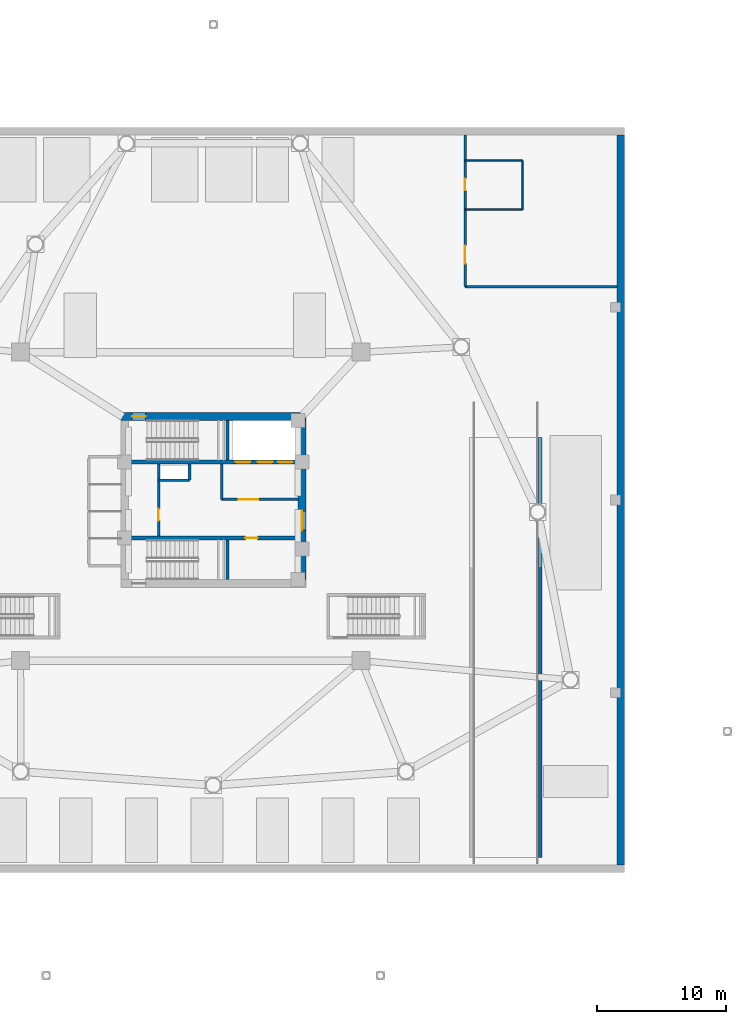
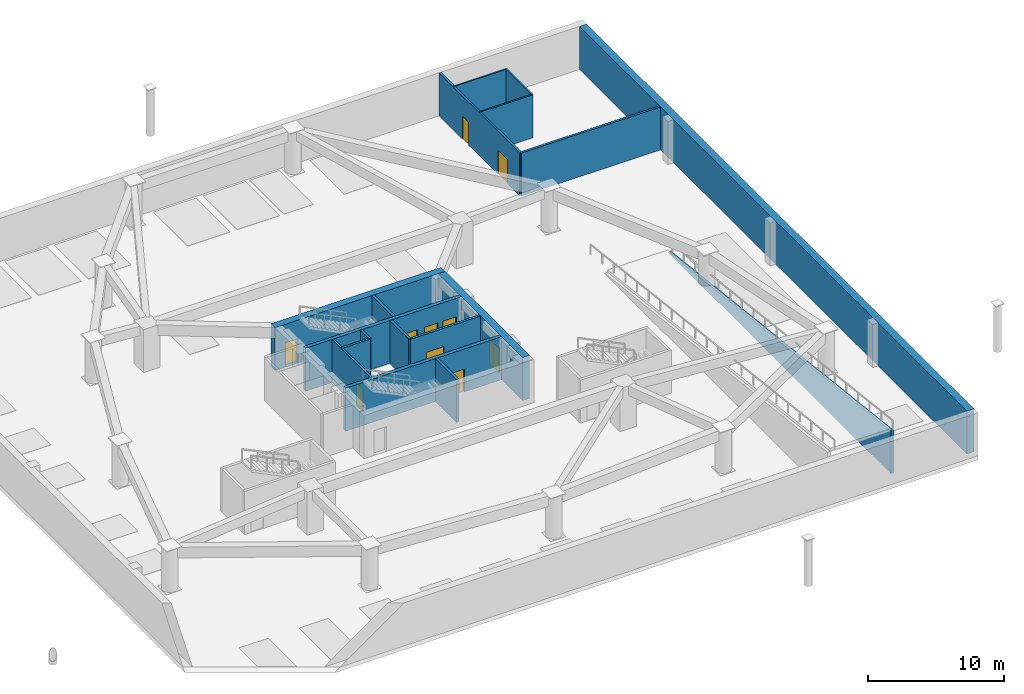
# One storey, part 5 of 9: 18 walls, 10 doors, 10 openings.
"""IFC4 building model written with IfcOpenShell, lengths in metres."""

from ifc_helpers import new_model, si_unit, direction, frame, frame_2d, origin, place, context, subcontext, project, spatial, polyline, rectangle, outline, extrude, material, layer, layer_set, type_object, element, fill, save


model = new_model("IFC4")

# Units and contexts
model_context = context("Model", 3, precision=1e-05, world=origin(), true_north=direction((0.0, 1.0)))
body_context = subcontext(model_context, "Body", "Model", "MODEL_VIEW")
ifc_project = project(units=[si_unit("LENGTHUNIT", "METRE"), si_unit("AREAUNIT", "SQUARE_METRE"), si_unit("VOLUMEUNIT", "CUBIC_METRE"), si_unit("PLANEANGLEUNIT", "RADIAN"), si_unit("MASSUNIT", "GRAM", prefix="KILO")], contexts=[model_context])

# Site, building, storey
site_placement = place(None, origin())
site = spatial("IfcSite", under=ifc_project, at=site_placement, CompositionType="ELEMENT")
building_placement = place(site_placement, origin())
building = spatial("IfcBuilding", under=site, at=building_placement, Name="Tavelor Broadcast Tower", CompositionType="ELEMENT")
storey_placement = place(building_placement, frame((0.0, 0.0, -4.199951171875)))
storey = spatial("IfcBuildingStorey", under=building, at=storey_placement, Name="B01", CompositionType="ELEMENT", Elevation=-4.199951171875)

# Wall
ifc_material_1 = material(Name="Concrete C40/50", Category="concrete")
ifc_layer_1 = layer(ifc_material_1, 0.60009765625)
ifc_layer_set_1 = layer_set([ifc_layer_1], Name="Concrete C40/50")
wall_type_1 = type_object("IfcWallType", Name="Basement Retaining Wall 600 mm", PredefinedType="USERDEFINED", material=ifc_layer_set_1)
wall_1_placement = place(storey_placement, frame((81.699951171875, 16.60009765625, 0.0), z_axis=(0.0, 0.0, 1.0), x_axis=(0.0, 1.0, 0.0)))
element("IfcWall", 1, at=wall_1_placement, inside=storey, type_object=wall_type_1, Name="B01 Basement Retaining Wall E 600 mm", ObjectType="RETAINING WALL", PredefinedType="USERDEFINED", context=body_context, shape_type="SweptSolid", body=[
    extrude(rectangle(XDim=56.7998046875, YDim=0.60009765625, at=frame_2d((28.39990234375, 0.0))), origin(), (0.0, 0.0, 1.0), 3.849853515625),
])

# Wall, opening, door
ifc_material_2 = material(Name="Concrete C60/75", Category="concrete")
ifc_layer_2 = layer(ifc_material_2, 0.60009765625)
ifc_layer_set_2 = layer_set([ifc_layer_2], Name="Concrete C60/75")
wall_type_2 = type_object("IfcWallType", Name="Core Shear Wall 600 mm", PredefinedType="SHEAR", material=ifc_layer_set_2)
wall_2_placement = place(storey_placement, frame((42.800048828125, 51.5, 0.0), z_axis=(0.0, 0.0, 1.0), x_axis=(1.0, 0.0, 0.0)))
wall_2 = element("IfcWall", 2, at=wall_2_placement, inside=storey, type_object=wall_type_2, Name="B01 Central Core Shear Wall N", PredefinedType="SHEAR", context=body_context, shape_type="SweptSolid", body=[
    extrude(rectangle(XDim=14.39990234375, YDim=0.60009765625, at=frame_2d((7.199951171875, 0.0))), origin(), (0.0, 0.0, 1.0), 3.849853515625),
])
opening_1_placement = place(wall_2_placement, frame((0.8798828125, 0.0, 0.0)))
opening_1 = element("IfcOpeningElement", 3, at=opening_1_placement, cuts=wall_2, Name="Opening DR11", PredefinedType="OPENING", context=body_context, shape_type="SweptSolid", body=[
    extrude(rectangle(XDim=1.050048828125, YDim=2.199951171875, at=frame_2d((0.52490234375, 1.10009765625))), frame((0.0, 0.31005859375, 0.0), z_axis=(0.0, -1.0, 0.0), x_axis=(1.0, 0.0, 0.0)), (0.0, 0.0, 1.0), 0.6201171875),
])
ifc_material_3 = material(Name="Steel S355", Category="steel")
door_type_1 = type_object("IfcDoorType", Name="Stair Core Fire Escape Door 1050x2200", OperationType="NOTDEFINED", PredefinedType="DOOR", material=ifc_material_3)
door_1_placement = place(opening_1_placement, origin())
door_1 = element("IfcDoor", 4, at=door_1_placement, inside=storey, type_object=door_type_1, Name="B01 Stair ST1 Protected Exit Door", OperationType="SINGLE_SWING_LEFT", OverallHeight=2.199951171875, OverallWidth=1.050048828125, PredefinedType="DOOR", context=body_context, shape_type="SweptSolid", body=[
    extrude(rectangle(XDim=1.050048828125, YDim=2.199951171875, at=frame_2d((0.52490234375, 1.10009765625))), frame((0.0, 0.02490234375, 0.0), z_axis=(0.0, -1.0, 0.0), x_axis=(1.0, 0.0, 0.0)), (0.0, 0.0, 1.0), 0.050048828125),
])
fill(opening_1, door_1)

wall_3_placement = place(storey_placement, frame((56.89990234375, 38.800048828125, 0.0), z_axis=(0.0, 0.0, 1.0), x_axis=(0.0, 1.0, 0.0)))
wall_3 = element("IfcWall", 5, at=wall_3_placement, inside=storey, type_object=wall_type_2, Name="B01 Central Core Shear Wall E", PredefinedType="SHEAR", context=body_context, shape_type="SweptSolid", body=[
    extrude(rectangle(XDim=12.39990234375, YDim=0.60009765625, at=frame_2d((6.199951171875, 0.0))), origin(), (0.0, 0.0, 1.0), 3.849853515625),
])
opening_2_placement = place(wall_3_placement, frame((3.85009765625, 0.0, 0.0)))
opening_2 = element("IfcOpeningElement", 6, at=opening_2_placement, cuts=wall_3, Name="Opening DR14", PredefinedType="OPENING", context=body_context, shape_type="SweptSolid", body=[
    extrude(rectangle(XDim=1.5, YDim=2.199951171875, at=frame_2d((0.75, 1.10009765625))), frame((0.0, 0.31005859375, 0.0), z_axis=(0.0, -1.0, 0.0), x_axis=(1.0, 0.0, 0.0)), (0.0, 0.0, 1.0), 0.6201171875),
])
door_type_2 = type_object("IfcDoorType", Name="Firefighting Lobby Double Fire Door 1500x2200", OperationType="NOTDEFINED", PredefinedType="DOOR", material=ifc_material_3)
door_2_placement = place(opening_2_placement, origin())
door_2 = element("IfcDoor", 7, at=door_2_placement, inside=storey, type_object=door_type_2, Name="B01 Central Core Lobby Fire Door", OperationType="SINGLE_SWING_RIGHT", OverallHeight=2.199951171875, OverallWidth=1.5, PredefinedType="DOOR", context=body_context, shape_type="SweptSolid", body=[
    extrude(rectangle(XDim=1.5, YDim=2.199951171875, at=frame_2d((0.75, 1.10009765625))), frame((0.0, 0.02490234375, 0.0), z_axis=(0.0, -1.0, 0.0), x_axis=(1.0, 0.0, 0.0)), (0.0, 0.0, 1.0), 0.050048828125),
])
fill(opening_2, door_2)

# Wall, openings, doors
ifc_layer_3 = layer(ifc_material_2, 0.300048828125)
ifc_layer_set_3 = layer_set([ifc_layer_3], Name="Concrete C60/75")
wall_type_3 = type_object("IfcWallType", Name="Core Spine Shear Wall 300 mm C60", PredefinedType="SHEAR", material=ifc_layer_set_3)
wall_4_placement = place(storey_placement, frame((43.39990234375, 47.949951171875, 0.0), z_axis=(0.0, 0.0, 1.0), x_axis=(1.0, 0.0, 0.0)))
wall_4 = element("IfcWall", 8, at=wall_4_placement, inside=storey, type_object=wall_type_3, Name="B01 Central Core Shear Wall SP1", PredefinedType="SHEAR", context=body_context, shape_type="SweptSolid", body=[
    extrude(rectangle(XDim=13.2001953125, YDim=0.300048828125, at=frame_2d((6.60009765625, 0.0))), origin(), (0.0, 0.0, 1.0), 3.849853515625),
])
opening_3_placement = place(wall_4_placement, frame((8.344970703125, 0.0, 0.0)))
opening_3 = element("IfcOpeningElement", 9, at=opening_3_placement, cuts=wall_4, Name="Opening LD02", PredefinedType="OPENING", context=body_context, shape_type="SweptSolid", body=[
    extrude(rectangle(XDim=1.14990234375, YDim=2.199951171875, at=frame_2d((0.574951171875, 1.10009765625))), frame((0.0, 0.16015625, 0.0), z_axis=(0.0, -1.0, 0.0), x_axis=(1.0, 0.0, 0.0)), (0.0, 0.0, 1.0), 0.320068359375),
])
opening_4_placement = place(wall_4_placement, frame((10.06494140625, 0.0, 0.0)))
opening_4 = element("IfcOpeningElement", 10, at=opening_4_placement, cuts=wall_4, Name="Opening LD02", PredefinedType="OPENING", context=body_context, shape_type="SweptSolid", body=[
    extrude(rectangle(XDim=1.14990234375, YDim=2.199951171875, at=frame_2d((0.574951171875, 1.10009765625))), frame((0.0, 0.16015625, 0.0), z_axis=(0.0, -1.0, 0.0), x_axis=(1.0, 0.0, 0.0)), (0.0, 0.0, 1.0), 0.320068359375),
])
opening_5_placement = place(wall_4_placement, frame((11.64501953125, 0.0, 0.0)))
opening_5 = element("IfcOpeningElement", 11, at=opening_5_placement, cuts=wall_4, Name="Opening LD03", PredefinedType="OPENING", context=body_context, shape_type="SweptSolid", body=[
    extrude(rectangle(XDim=1.14990234375, YDim=2.199951171875, at=frame_2d((0.574951171875, 1.10009765625))), frame((0.0, 0.16015625, 0.0), z_axis=(0.0, -1.0, 0.0), x_axis=(1.0, 0.0, 0.0)), (0.0, 0.0, 1.0), 0.320068359375),
])
ifc_material_4 = material(Name="Reinforced Brushed Stainless Steel", Category="concrete")
door_type_3 = type_object("IfcDoorType", Name="Broadcast Goods Lift Sliding Landing Door 1250x2200", OperationType="NOTDEFINED", PredefinedType="DOOR", material=ifc_material_4)
door_3_placement = place(opening_5_placement, origin())
door_3 = element("IfcDoor", 12, at=door_3_placement, inside=storey, type_object=door_type_3, Name="B01 Lift SVL1 Sliding Landing Door", OperationType="SLIDING_TO_LEFT", OverallHeight=2.199951171875, OverallWidth=1.14990234375, PredefinedType="DOOR", context=body_context, shape_type="SweptSolid", body=[
    extrude(rectangle(XDim=1.14990234375, YDim=2.199951171875, at=frame_2d((0.574951171875, 1.10009765625))), frame((0.0, 0.02490234375, 0.0), z_axis=(0.0, -1.0, 0.0), x_axis=(1.0, 0.0, 0.0)), (0.0, 0.0, 1.0), 0.050048828125),
])
fill(opening_5, door_3)
ifc_material_5 = material(Name="Fire-Rated Stainless Steel", Category="steel")
door_type_4 = type_object("IfcDoorType", Name="Firefighting Lift Sliding Landing Door 1200x2200", OperationType="NOTDEFINED", PredefinedType="DOOR", material=ifc_material_5)
door_4_placement = place(opening_3_placement, origin())
door_4 = element("IfcDoor", 13, at=door_4_placement, inside=storey, type_object=door_type_4, Name="B01 Lift FFL1 Sliding Landing Door", OperationType="SLIDING_TO_LEFT", OverallHeight=2.199951171875, OverallWidth=1.14990234375, PredefinedType="DOOR", context=body_context, shape_type="SweptSolid", body=[
    extrude(rectangle(XDim=1.14990234375, YDim=2.199951171875, at=frame_2d((0.574951171875, 1.10009765625))), frame((0.0, 0.02490234375, 0.0), z_axis=(0.0, -1.0, 0.0), x_axis=(1.0, 0.0, 0.0)), (0.0, 0.0, 1.0), 0.050048828125),
])
fill(opening_3, door_4)
door_5_placement = place(opening_4_placement, origin())
door_5 = element("IfcDoor", 14, at=door_5_placement, inside=storey, type_object=door_type_4, Name="B01 Lift FFL2 Sliding Landing Door", OperationType="SLIDING_TO_LEFT", OverallHeight=2.199951171875, OverallWidth=1.14990234375, PredefinedType="DOOR", context=body_context, shape_type="SweptSolid", body=[
    extrude(rectangle(XDim=1.14990234375, YDim=2.199951171875, at=frame_2d((0.574951171875, 1.10009765625))), frame((0.0, 0.02490234375, 0.0), z_axis=(0.0, -1.0, 0.0), x_axis=(1.0, 0.0, 0.0)), (0.0, 0.0, 1.0), 0.050048828125),
])
fill(opening_4, door_5)

# Wall, opening, door
wall_5_placement = place(storey_placement, frame((43.39990234375, 42.050048828125, 0.0), z_axis=(0.0, 0.0, 1.0), x_axis=(1.0, 0.0, 0.0)))
wall_5 = element("IfcWall", 15, at=wall_5_placement, inside=storey, type_object=wall_type_3, Name="B01 Central Core Shear Wall SP2", PredefinedType="SHEAR", context=body_context, shape_type="SweptSolid", body=[
    extrude(rectangle(XDim=13.2001953125, YDim=0.300048828125, at=frame_2d((6.60009765625, 0.0))), origin(), (0.0, 0.0, 1.0), 3.849853515625),
])
opening_6_placement = place(wall_5_placement, frame((9.10009765625, 0.0, 0.0)))
opening_6 = element("IfcOpeningElement", 16, at=opening_6_placement, cuts=wall_5, Name="Opening DR18", PredefinedType="OPENING", context=body_context, shape_type="SweptSolid", body=[
    extrude(rectangle(XDim=0.949951171875, YDim=2.050048828125, at=frame_2d((0.47509765625, 1.02490234375))), frame((0.0, 0.16015625, 0.0), z_axis=(0.0, -1.0, 0.0), x_axis=(1.0, 0.0, 0.0)), (0.0, 0.0, 1.0), 0.320068359375),
])
ifc_material_6 = material(Name="Timber Solid Core Hardwood", Category="wood")
door_type_5 = type_object("IfcDoorType", Name="Corridor Rated Compartment Door 950x2050", OperationType="NOTDEFINED", PredefinedType="DOOR", material=ifc_material_6)
door_6_placement = place(opening_6_placement, origin())
door_6 = element("IfcDoor", 17, at=door_6_placement, inside=storey, type_object=door_type_5, Name="B01 Reclaimed South Core Plant Door", OperationType="SINGLE_SWING_RIGHT", OverallHeight=2.050048828125, OverallWidth=0.949951171875, PredefinedType="DOOR", context=body_context, shape_type="SweptSolid", body=[
    extrude(rectangle(XDim=0.949951171875, YDim=2.050048828125, at=frame_2d((0.47509765625, 1.02490234375))), frame((0.0, 0.02490234375, 0.0), z_axis=(0.0, -1.0, 0.0), x_axis=(1.0, 0.0, 0.0)), (0.0, 0.0, 1.0), 0.050048828125),
])
fill(opening_6, door_6)

ifc_material_7 = material(Name="Calcium Silicate Fire Board 180 mm", Category="gypsum")
ifc_layer_4 = layer(ifc_material_7, 0.179931640625)
ifc_layer_set_4 = layer_set([ifc_layer_4], Name="Calcium Silicate Fire Board 180 mm")
wall_type_4 = type_object("IfcWallType", Name="Fire-Rated Corridor Partition Wall 180 mm", PredefinedType="PARTITIONING", material=ifc_layer_set_4)
wall_6_placement = place(storey_placement, frame((45.75, 42.199951171875, 0.0), z_axis=(0.0, 0.0, 1.0), x_axis=(0.0, 1.0, 0.0)))
wall_6 = element("IfcWall", 18, at=wall_6_placement, inside=storey, type_object=wall_type_4, Name="B01 Core West Service East Wall", PredefinedType="PARTITIONING", context=body_context, shape_type="SweptSolid", body=[
    extrude(rectangle(XDim=5.60009765625, YDim=0.179931640625, at=frame_2d((2.800048828125, 0.0))), origin(), (0.0, 0.0, 1.0), 3.849853515625),
])
opening_7_placement = place(wall_6_placement, frame((1.199951171875, 0.0, 0.0)))
opening_7 = element("IfcOpeningElement", 19, at=opening_7_placement, cuts=wall_6, Name="Opening DR32", PredefinedType="OPENING", context=body_context, shape_type="SweptSolid", body=[
    extrude(rectangle(XDim=0.89990234375, YDim=2.050048828125, at=frame_2d((0.449951171875, 1.02490234375))), frame((0.0, 0.10009765625, 0.0), z_axis=(0.0, -1.0, 0.0), x_axis=(1.0, 0.0, 0.0)), (0.0, 0.0, 1.0), 0.199951171875),
])
door_type_6 = type_object("IfcDoorType", Name="Accessible Washroom Door 900x2050", OperationType="NOTDEFINED", PredefinedType="DOOR", material=ifc_material_6)
door_7_placement = place(opening_7_placement, origin())
door_7 = element("IfcDoor", 20, at=door_7_placement, inside=storey, type_object=door_type_6, Name="B01 Core Plant Room Door", OperationType="SINGLE_SWING_LEFT", OverallHeight=2.050048828125, OverallWidth=0.89990234375, PredefinedType="DOOR", context=body_context, shape_type="SweptSolid", body=[
    extrude(rectangle(XDim=0.89990234375, YDim=2.050048828125, at=frame_2d((0.449951171875, 1.02490234375))), frame((0.0, 0.02490234375, 0.0), z_axis=(0.0, -1.0, 0.0), x_axis=(1.0, 0.0, 0.0)), (0.0, 0.0, 1.0), 0.050048828125),
])
fill(opening_7, door_7)

# Wall, openings, doors
wall_7_placement = place(storey_placement, frame((69.60009765625, 61.60009765625, 0.0), z_axis=(0.0, 0.0, 1.0), x_axis=(0.0, 1.0, 0.0)))
wall_7 = element("IfcWall", 21, at=wall_7_placement, inside=storey, type_object=wall_type_4, Name="B01 Service West Wall", PredefinedType="PARTITIONING", context=body_context, shape_type="SweptSolid", body=[
    extrude(rectangle(XDim=11.7998046875, YDim=0.179931640625, at=frame_2d((5.89990234375, 0.0))), origin(), (0.0, 0.0, 1.0), 3.849853515625),
])
opening_8_placement = place(wall_7_placement, frame((1.800048828125, 0.0, 0.0)))
opening_8 = element("IfcOpeningElement", 22, at=opening_8_placement, cuts=wall_7, Name="Opening DR41", PredefinedType="OPENING", context=body_context, shape_type="SweptSolid", body=[
    extrude(rectangle(XDim=1.39990234375, YDim=2.14990234375, at=frame_2d((0.699951171875, 1.074951171875))), frame((0.0, 0.10009765625, 0.0), z_axis=(0.0, -1.0, 0.0), x_axis=(1.0, 0.0, 0.0)), (0.0, 0.0, 1.0), 0.199951171875),
])
opening_9_placement = place(wall_7_placement, frame((7.5, 0.0, 0.0)))
opening_9 = element("IfcOpeningElement", 23, at=opening_9_placement, cuts=wall_7, Name="Opening DR32", PredefinedType="OPENING", context=body_context, shape_type="SweptSolid", body=[
    extrude(rectangle(XDim=0.89990234375, YDim=2.050048828125, at=frame_2d((0.449951171875, 1.02490234375))), frame((0.0, 0.10009765625, 0.0), z_axis=(0.0, -1.0, 0.0), x_axis=(1.0, 0.0, 0.0)), (0.0, 0.0, 1.0), 0.199951171875),
])
door_8_placement = place(opening_9_placement, origin())
door_8 = element("IfcDoor", 24, at=door_8_placement, inside=storey, type_object=door_type_6, Name="B01 Car Park Accessible WC Door", OperationType="SINGLE_SWING_LEFT", OverallHeight=2.050048828125, OverallWidth=0.89990234375, PredefinedType="DOOR", context=body_context, shape_type="SweptSolid", body=[
    extrude(rectangle(XDim=0.89990234375, YDim=2.050048828125, at=frame_2d((0.449951171875, 1.02490234375))), frame((0.0, 0.02490234375, 0.0), z_axis=(0.0, -1.0, 0.0), x_axis=(1.0, 0.0, 0.0)), (0.0, 0.0, 1.0), 0.050048828125),
])
fill(opening_9, door_8)
door_type_7 = type_object("IfcDoorType", Name="Plant Room Double Fire Door 1400x2150", OperationType="NOTDEFINED", PredefinedType="DOOR", material=ifc_material_3)
door_9_placement = place(opening_8_placement, origin())
door_9 = element("IfcDoor", 25, at=door_9_placement, inside=storey, type_object=door_type_7, Name="B01 Cycle Store Double Door", OperationType="SINGLE_SWING_RIGHT", OverallHeight=2.14990234375, OverallWidth=1.39990234375, PredefinedType="DOOR", context=body_context, shape_type="SweptSolid", body=[
    extrude(rectangle(XDim=1.39990234375, YDim=2.14990234375, at=frame_2d((0.699951171875, 1.074951171875))), frame((0.0, 0.02490234375, 0.0), z_axis=(0.0, -1.0, 0.0), x_axis=(1.0, 0.0, 0.0)), (0.0, 0.0, 1.0), 0.050048828125),
])
fill(opening_8, door_9)

# Walls
wall_8_placement = place(storey_placement, frame((69.60009765625, 61.60009765625, 0.0), z_axis=(0.0, 0.0, 1.0), x_axis=(1.0, 0.0, 0.0)))
element("IfcWall", 26, at=wall_8_placement, inside=storey, type_object=wall_type_4, Name="B01 Cycle Store South Wall", PredefinedType="PARTITIONING", context=body_context, shape_type="SweptSolid", body=[
    extrude(rectangle(XDim=11.7998046875, YDim=0.179931640625, at=frame_2d((5.89990234375, 0.0))), origin(), (0.0, 0.0, 1.0), 3.849853515625),
])
ifc_material_8 = material(Name="Concrete Blockwork 200 mm", Category="masonry")
ifc_layer_5 = layer(ifc_material_8, 0.199951171875)
ifc_layer_set_5 = layer_set([ifc_layer_5], Name="Concrete Blockwork 200 mm")
wall_type_5 = type_object("IfcWallType", Name="Lift and Riser Shaft Enclosure Wall 200 mm", PredefinedType="PARTITIONING", material=ifc_layer_set_5)
wall_9_placement = place(storey_placement, frame((45.75, 46.550048828125, 0.0), z_axis=(0.0, 0.0, 1.0), x_axis=(1.0, 0.0, 0.0)))
element("IfcWall", 27, at=wall_9_placement, inside=storey, type_object=wall_type_5, Name="B01 Riser Shaft South Wall", PredefinedType="PARTITIONING", context=body_context, shape_type="SweptSolid", body=[
    extrude(rectangle(XDim=2.39990234375, YDim=0.199951171875, at=frame_2d((1.199951171875, 0.0))), origin(), (0.0, 0.0, 1.0), 3.849853515625),
])
wall_10_placement = place(storey_placement, frame((48.14990234375, 46.550048828125, 0.0), z_axis=(0.0, 0.0, 1.0), x_axis=(0.0, 1.0, 0.0)))
element("IfcWall", 28, at=wall_10_placement, inside=storey, type_object=wall_type_5, Name="B01 Riser Shaft East Wall", PredefinedType="PARTITIONING", context=body_context, shape_type="SweptSolid", body=[
    extrude(rectangle(XDim=1.25, YDim=0.199951171875, at=frame_2d((0.625, 0.0))), origin(), (0.0, 0.0, 1.0), 3.849853515625),
])

# Wall, opening, door
wall_11_placement = place(storey_placement, frame((50.64990234375, 45.050048828125, 0.0), z_axis=(0.0, 0.0, 1.0), x_axis=(1.0, 0.0, 0.0)))
wall_11 = element("IfcWall", 29, at=wall_11_placement, inside=storey, type_object=wall_type_5, Name="B01 Firefighting Lobby South Wall", PredefinedType="PARTITIONING", context=body_context, shape_type="SweptSolid", body=[
    extrude(rectangle(XDim=5.9501953125, YDim=0.199951171875, at=frame_2d((2.97509765625, 0.0))), origin(), (0.0, 0.0, 1.0), 3.849853515625),
])
opening_10_placement = place(wall_11_placement, frame((1.35009765625, 0.0, 0.0)))
opening_10 = element("IfcOpeningElement", 30, at=opening_10_placement, cuts=wall_11, Name="Opening DR14", PredefinedType="OPENING", context=body_context, shape_type="SweptSolid", body=[
    extrude(rectangle(XDim=1.5, YDim=2.199951171875, at=frame_2d((0.75, 1.10009765625))), frame((0.0, 0.10986328125, 0.0), z_axis=(0.0, -1.0, 0.0), x_axis=(1.0, 0.0, 0.0)), (0.0, 0.0, 1.0), 0.219970703125),
])
door_10_placement = place(opening_10_placement, origin())
door_10 = element("IfcDoor", 31, at=door_10_placement, inside=storey, type_object=door_type_2, Name="B01 Firefighting Lobby Compartment Door", OperationType="SINGLE_SWING_LEFT", OverallHeight=2.199951171875, OverallWidth=1.5, PredefinedType="DOOR", context=body_context, shape_type="SweptSolid", body=[
    extrude(rectangle(XDim=1.5, YDim=2.199951171875, at=frame_2d((0.75, 1.10009765625))), frame((0.0, 0.02490234375, 0.0), z_axis=(0.0, -1.0, 0.0), x_axis=(1.0, 0.0, 0.0)), (0.0, 0.0, 1.0), 0.050048828125),
])
fill(opening_10, door_10)

# Walls
wall_12_placement = place(storey_placement, frame((50.64990234375, 45.050048828125, 0.0), z_axis=(0.0, 0.0, 1.0), x_axis=(0.0, 1.0, 0.0)))
element("IfcWall", 32, at=wall_12_placement, inside=storey, type_object=wall_type_5, Name="B01 Firefighting Lobby West Wall", PredefinedType="PARTITIONING", context=body_context, shape_type="SweptSolid", body=[
    extrude(rectangle(XDim=2.75, YDim=0.199951171875, at=frame_2d((1.375, 0.0))), origin(), (0.0, 0.0, 1.0), 3.849853515625),
])
ifc_material_9 = material(Name="Moisture-Resistant Plasterboard 120 mm", Category="gypsum")
ifc_layer_6 = layer(ifc_material_9, 0.1201171875)
ifc_layer_set_6 = layer_set([ifc_layer_6], Name="Moisture-Resistant Plasterboard 120 mm")
wall_type_6 = type_object("IfcWallType", Name="Moisture-Resistant Wet-Room Partition 120 mm", PredefinedType="PARTITIONING", material=ifc_layer_set_6)
wall_13_placement = place(storey_placement, frame((69.60009765625, 67.60009765625, 0.0), z_axis=(0.0, 0.0, 1.0), x_axis=(1.0, 0.0, 0.0)))
element("IfcWall", 33, at=wall_13_placement, inside=storey, type_object=wall_type_6, Name="B01 Accessible WC South Wall", PredefinedType="PARTITIONING", context=body_context, shape_type="SweptSolid", body=[
    extrude(rectangle(XDim=4.449951171875, YDim=0.1201171875, at=frame_2d((2.22509765625, 0.0))), origin(), (0.0, 0.0, 1.0), 3.849853515625),
])
wall_14_placement = place(storey_placement, frame((74.050048828125, 67.60009765625, 0.0), z_axis=(0.0, 0.0, 1.0), x_axis=(0.0, 1.0, 0.0)))
element("IfcWall", 34, at=wall_14_placement, inside=storey, type_object=wall_type_6, Name="B01 Accessible WC East Wall", PredefinedType="PARTITIONING", context=body_context, shape_type="SweptSolid", body=[
    extrude(rectangle(XDim=3.7998046875, YDim=0.1201171875, at=frame_2d((1.89990234375, 0.0))), origin(), (0.0, 0.0, 1.0), 3.849853515625),
])
wall_15_placement = place(storey_placement, frame((69.60009765625, 71.39990234375, 0.0), z_axis=(0.0, 0.0, 1.0), x_axis=(1.0, 0.0, 0.0)))
element("IfcWall", 35, at=wall_15_placement, inside=storey, type_object=wall_type_6, Name="B01 Accessible WC North Wall", PredefinedType="PARTITIONING", context=body_context, shape_type="SweptSolid", body=[
    extrude(rectangle(XDim=4.449951171875, YDim=0.1201171875, at=frame_2d((2.22509765625, 0.0))), origin(), (0.0, 0.0, 1.0), 3.849853515625),
])
ifc_layer_7 = layer(ifc_material_1, 0.219970703125)
ifc_layer_set_7 = layer_set([ifc_layer_7], Name="Concrete C40/50")
wall_type_7 = type_object("IfcWallType", Name="Structural Stairwell Shear Wall 220 mm", PredefinedType="SHEAR", material=ifc_layer_set_7)
for number, where, z_axis, x_axis, name in (
    (36, (51.110107421875, 48.10009765625, 0.0), (0.0, 0.0, 1.0), (0.0, 1.0, 0.0), "B01 Stair ST1 Structural Shaft Wall"),
    (37, (51.110107421875, 38.800048828125, 0.0), (0.0, 0.0, 1.0), (0.0, 1.0, 0.0), "B01 Stair ST2 Structural Shaft Wall"),
):
    element("IfcWall", number, at=place(storey_placement, frame(where, z_axis=z_axis, x_axis=x_axis)), inside=storey, type_object=wall_type_7, Name=name, PredefinedType="SHEAR", context=body_context, shape_type="SweptSolid", body=[
        extrude(rectangle(XDim=3.099853515625, YDim=0.219970703125, at=frame_2d((1.5498046875, 0.0))), origin(), (0.0, 0.0, 1.0), 3.849853515625),
    ])
ifc_layer_8 = layer(ifc_material_1, 0.239990234375)
ifc_layer_set_8 = layer_set([ifc_layer_8], Name="Concrete C40/50")
wall_type_8 = type_object("IfcWallType", Name="Vehicle Ramp Structural Support Wall 240 mm", PredefinedType="SHEAR", material=ifc_layer_set_8)
wall_16_placement = place(storey_placement, frame((75.43994140625, 17.199951171875, 0.0), z_axis=(0.0, 0.0, 1.0), x_axis=(0.0, 1.0, 0.0)))
element("IfcWall", 38, at=wall_16_placement, inside=storey, type_object=wall_type_8, Name="B01 Vehicle Ramp Sloped Structural Support Wall E", PredefinedType="SHEAR", context=body_context, shape_type="SweptSolid", body=[
    extrude(outline(polyline([(0.0, 0.0), (32.679931640625, 0.0), (32.679931640625, 0.0400390625), (0.0, 3.80712890625), (0.0, 0.0)])), frame((0.0, 0.1201171875, 0.0), z_axis=(0.0, -1.0, 0.0), x_axis=(1.0, 0.0, 0.0)), (0.0, 0.0, 1.0), 0.239990234375),
])

save(model, "model.ifc")
